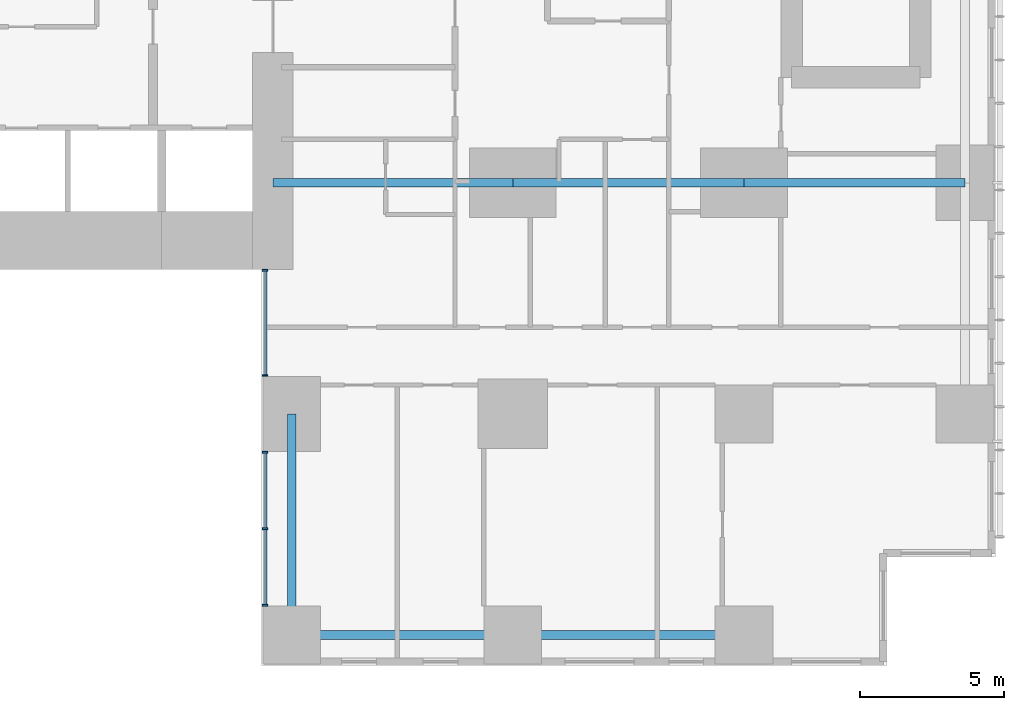
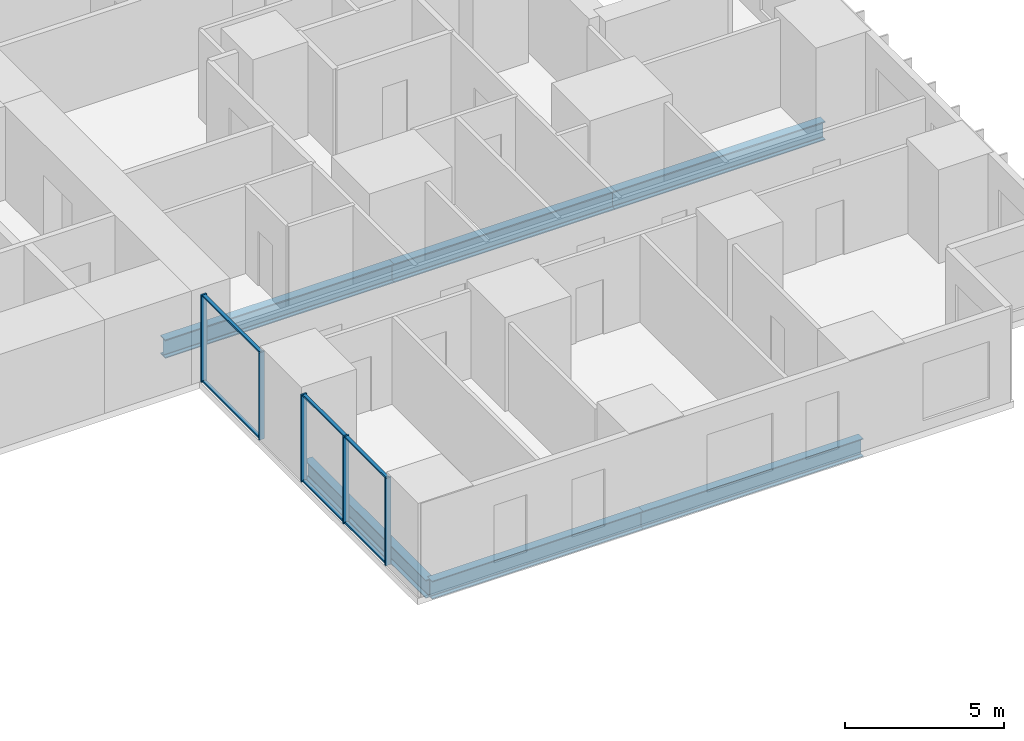
# One storey, part 3 of 20: 11 members, 6 beams, 2 elements without a shape of their own.
"""IFC4 building model written with IfcOpenShell, lengths in metres."""

from ifc_helpers import new_model, si_unit, direction, frame, origin, origin_2d, place, context, subcontext, project, spatial, rectangle, i_section, extrude, material, layer, layer_set, material_profile, profile_set, type_object, element, aggregate, save


model = new_model("IFC4")

# Units and contexts
model_context = context("Model", 3, precision=1e-05, world=origin(), true_north=direction((0.0, 1.0)))
body_context = subcontext(model_context, "Body", "Model", "MODEL_VIEW")
ifc_project = project(units=[si_unit("LENGTHUNIT", "METRE"), si_unit("AREAUNIT", "SQUARE_METRE"), si_unit("VOLUMEUNIT", "CUBIC_METRE"), si_unit("PLANEANGLEUNIT", "RADIAN"), si_unit("MASSUNIT", "GRAM", prefix="KILO")], contexts=[model_context])

# Site, building, storey
site_placement = place(None, origin())
site = spatial("IfcSite", under=ifc_project, at=site_placement, CompositionType="ELEMENT")
building_placement = place(site_placement, origin())
building = spatial("IfcBuilding", under=site, at=building_placement, Name="Cleftline Residences", CompositionType="ELEMENT")
storey_placement = place(building_placement, frame((0.0, 0.0, 164.60009765625)))
storey = spatial("IfcBuildingStorey", under=building, at=storey_placement, Name="L43", CompositionType="ELEMENT", Elevation=164.60009765625)

# Beams
ifc_material_1 = material(Name="Steel S355", Category="steel")
ifc_material_profile_1 = material_profile(ifc_material_1, i_section(OverallWidth=0.300048828125, OverallDepth=0.699951171875, WebThickness=0.01708984375, FlangeThickness=0.031982421875, FilletRadius=0.027099609375, at=origin_2d()))
ifc_profile_set_1 = profile_set([ifc_material_profile_1], Name="Steel S355")
beam_type_1 = type_object("IfcBeamType", Name="BEAM HEB 700", PredefinedType="BEAM", material=ifc_profile_set_1)
beam_1_placement = place(storey_placement, frame((58.0, 0.35009765625, -0.60009765625), z_axis=(-1.0, 0.0, 0.0), x_axis=(0.0, -1.0, 0.0)))
element("IfcBeam", 1, at=beam_1_placement, inside=storey, type_object=beam_type_1, Name="Edge beam", PredefinedType="BEAM", context=body_context, shape_type="SweptSolid", body=[
    extrude(i_section(OverallWidth=0.300048828125, OverallDepth=0.699951171875, WebThickness=0.01708984375, FlangeThickness=0.031982421875, FilletRadius=0.027099609375, at=origin_2d()), origin(), (0.0, 0.0, 1.0), 8.0),
])
for number, where, z_axis, x_axis, name in (
    (2, (50.0, 0.35009765625, -0.60009765625), (-1.0, 0.0, 0.0), (0.0, -1.0, 0.0), "Edge beam"),
    (3, (42.35009765625, 0.35009765625, -0.60009765625), (0.0, 1.0, 0.0), (-1.0, 0.0, 0.0), "Edge beam"),
):
    element("IfcBeam", number, at=place(storey_placement, frame(where, z_axis=z_axis, x_axis=x_axis)), inside=storey, type_object=beam_type_1, Name=name, PredefinedType="BEAM", context=body_context, shape_type="SweptSolid", body=[
        extrude(i_section(OverallWidth=0.300048828125, OverallDepth=0.699951171875, WebThickness=0.01708984375, FlangeThickness=0.031982421875, FilletRadius=0.027099609375, at=origin_2d()), origin(), (0.0, 0.0, 1.0), 7.64990234375),
    ])
ifc_material_2 = material(Name="Steel S355", Category="steel")
ifc_material_profile_2 = material_profile(ifc_material_2, i_section(OverallWidth=0.303955078125, OverallDepth=0.716064453125, WebThickness=0.02099609375, FlangeThickness=0.0400390625, FilletRadius=0.027099609375, at=origin_2d()))
ifc_profile_set_2 = profile_set([ifc_material_profile_2], Name="Steel S355")
beam_type_2 = type_object("IfcBeamType", Name="BEAM HEM 700", PredefinedType="BEAM", material=ifc_profile_set_2)
beam_2_placement = place(storey_placement, frame((65.64990234375, 16.0, -0.608154296875), z_axis=(-1.0, 0.0, 0.0), x_axis=(0.0, -1.0, 0.0)))
element("IfcBeam", 4, at=beam_2_placement, inside=storey, type_object=beam_type_2, Name="Band beam", PredefinedType="BEAM", context=body_context, shape_type="SweptSolid", body=[
    extrude(i_section(OverallWidth=0.303955078125, OverallDepth=0.716064453125, WebThickness=0.02099609375, FlangeThickness=0.0400390625, FilletRadius=0.027099609375, at=origin_2d()), origin(), (0.0, 0.0, 1.0), 7.64990234375),
])
beam_3_placement = place(storey_placement, frame((58.0, 16.0, -0.608154296875), z_axis=(-1.0, 0.0, 0.0), x_axis=(0.0, -1.0, 0.0)))
element("IfcBeam", 5, at=beam_3_placement, inside=storey, type_object=beam_type_2, Name="Band beam", PredefinedType="BEAM", context=body_context, shape_type="SweptSolid", body=[
    extrude(i_section(OverallWidth=0.303955078125, OverallDepth=0.716064453125, WebThickness=0.02099609375, FlangeThickness=0.0400390625, FilletRadius=0.027099609375, at=origin_2d()), origin(), (0.0, 0.0, 1.0), 8.0),
])
beam_4_placement = place(storey_placement, frame((50.0, 16.0, -0.608154296875), z_axis=(-1.0, 0.0, 0.0), x_axis=(0.0, -1.0, 0.0)))
element("IfcBeam", 6, at=beam_4_placement, inside=storey, type_object=beam_type_2, Name="Band beam", PredefinedType="BEAM", context=body_context, shape_type="SweptSolid", body=[
    extrude(i_section(OverallWidth=0.303955078125, OverallDepth=0.716064453125, WebThickness=0.02099609375, FlangeThickness=0.0400390625, FilletRadius=0.027099609375, at=origin_2d()), origin(), (0.0, 0.0, 1.0), 8.300048828125),
])

# Curtain wall, members
ifc_material_3 = material(Name="Aluminium framed curtain wall", Category="aluminium")
ifc_layer = layer(ifc_material_3, 0.199951171875)
ifc_layer_set = layer_set([ifc_layer], Name="CW1 CLEFT GLAZING")
curtain_wall_type = type_object("IfcCurtainWallType", Name="CW1 CLEFT GLAZING", PredefinedType="NOTDEFINED", material=ifc_layer_set)
curtain_wall_1_placement = place(storey_placement, origin())
curtain_wall_1 = element("IfcCurtainWall", 7, at=curtain_wall_1_placement, inside=storey, type_object=curtain_wall_type, Name="Curtain wall CW1", PredefinedType="NOTDEFINED")
ifc_material_4 = material(Name="Aluminium mullion", Category="aluminium")
ifc_material_profile_3 = material_profile(ifc_material_4, rectangle(XDim=0.199951171875, YDim=0.06005859375, at=origin_2d()))
ifc_profile_set_3 = profile_set([ifc_material_profile_3], Name="Aluminium mullion")
member_type_1 = type_object("IfcMemberType", Name="CW1 MULLION", PredefinedType="MULLION", material=ifc_profile_set_3)
member_1_placement = place(storey_placement, frame((41.425048828125, 12.969970703125, 0.0), z_axis=(0.0, 0.0, 1.0), x_axis=(1.0, 0.0, 0.0)))
member_1 = element("IfcMember", 8, at=member_1_placement, type_object=member_type_1, Name="CW1 mullion 1", PredefinedType="MULLION", context=body_context, shape_type="SweptSolid", body=[
    extrude(rectangle(XDim=0.199951171875, YDim=0.06005859375, at=origin_2d()), origin(), (0.0, 0.0, 1.0), 3.349853515625),
])
member_2_placement = place(storey_placement, frame((41.425048828125, 9.330078125, 0.0), z_axis=(0.0, 0.0, 1.0), x_axis=(1.0, 0.0, 0.0)))
member_2 = element("IfcMember", 9, at=member_2_placement, type_object=member_type_1, Name="CW1 mullion 2", PredefinedType="MULLION", context=body_context, shape_type="SweptSolid", body=[
    extrude(rectangle(XDim=0.199951171875, YDim=0.06005859375, at=origin_2d()), origin(), (0.0, 0.0, 1.0), 3.349853515625),
])

curtain_wall_2_placement = place(storey_placement, origin())
curtain_wall_2 = element("IfcCurtainWall", 10, at=curtain_wall_2_placement, inside=storey, type_object=curtain_wall_type, Name="Curtain wall CW1", PredefinedType="NOTDEFINED")
member_3_placement = place(storey_placement, frame((41.425048828125, 6.669921875, 0.0), z_axis=(0.0, 0.0, 1.0), x_axis=(1.0, 0.0, 0.0)))
member_3 = element("IfcMember", 11, at=member_3_placement, type_object=member_type_1, Name="CW1 mullion 1", PredefinedType="MULLION", context=body_context, shape_type="SweptSolid", body=[
    extrude(rectangle(XDim=0.199951171875, YDim=0.06005859375, at=origin_2d()), origin(), (0.0, 0.0, 1.0), 3.349853515625),
])
member_4_placement = place(storey_placement, frame((41.425048828125, 4.02490234375, 0.0), z_axis=(0.0, 0.0, 1.0), x_axis=(1.0, 0.0, 0.0)))
member_4 = element("IfcMember", 12, at=member_4_placement, type_object=member_type_1, Name="CW1 mullion 2", PredefinedType="MULLION", context=body_context, shape_type="SweptSolid", body=[
    extrude(rectangle(XDim=0.199951171875, YDim=0.06005859375, at=origin_2d()), origin(), (0.0, 0.0, 1.0), 3.349853515625),
])
member_5_placement = place(storey_placement, frame((41.425048828125, 1.3798828125, 0.0), z_axis=(0.0, 0.0, 1.0), x_axis=(1.0, 0.0, 0.0)))
member_5 = element("IfcMember", 13, at=member_5_placement, type_object=member_type_1, Name="CW1 mullion 3", PredefinedType="MULLION", context=body_context, shape_type="SweptSolid", body=[
    extrude(rectangle(XDim=0.199951171875, YDim=0.06005859375, at=origin_2d()), origin(), (0.0, 0.0, 1.0), 3.349853515625),
])

# Member
ifc_material_5 = material(Name="Aluminium transom", Category="aluminium")
ifc_material_profile_4 = material_profile(ifc_material_5, rectangle(XDim=0.1201171875, YDim=0.06005859375, at=origin_2d()))
ifc_profile_set_4 = profile_set([ifc_material_profile_4], Name="Aluminium transom")
member_type_2 = type_object("IfcMemberType", Name="CW1 TRANSOM", PredefinedType="USERDEFINED", material=ifc_profile_set_4)
member_6_placement = place(storey_placement, frame((41.425048828125, 12.93994140625, 0.02978515625), z_axis=(0.0, -1.0, 0.0), x_axis=(1.0, 0.0, 0.0)))
member_6 = element("IfcMember", 14, at=member_6_placement, type_object=member_type_2, Name="CW1 transom 1.1", ObjectType="TRANSOM", PredefinedType="USERDEFINED", context=body_context, shape_type="SweptSolid", body=[
    extrude(rectangle(XDim=0.1201171875, YDim=0.06005859375, at=origin_2d()), origin(), (0.0, 0.0, 1.0), 3.579833984375),
])

member_7_placement = place(storey_placement, frame((41.425048828125, 12.93994140625, 3.31982421875), z_axis=(0.0, -1.0, 0.0), x_axis=(1.0, 0.0, 0.0)))
member_7 = element("IfcMember", 15, at=member_7_placement, type_object=member_type_2, Name="CW1 transom 1.2", ObjectType="TRANSOM", PredefinedType="USERDEFINED", context=body_context, shape_type="SweptSolid", body=[
    extrude(rectangle(XDim=0.1201171875, YDim=0.06005859375, at=origin_2d()), origin(), (0.0, 0.0, 1.0), 3.579833984375),
])

aggregate(curtain_wall_1, [member_1, member_2, member_6, member_7])

member_8_placement = place(storey_placement, frame((41.425048828125, 6.639892578125, 0.02978515625), z_axis=(0.0, -1.0, 0.0), x_axis=(1.0, 0.0, 0.0)))
member_8 = element("IfcMember", 16, at=member_8_placement, type_object=member_type_2, Name="CW1 transom 1.1", ObjectType="TRANSOM", PredefinedType="USERDEFINED", context=body_context, shape_type="SweptSolid", body=[
    extrude(rectangle(XDim=0.1201171875, YDim=0.06005859375, at=origin_2d()), origin(), (0.0, 0.0, 1.0), 2.5849609375),
])

member_9_placement = place(storey_placement, frame((41.425048828125, 6.639892578125, 3.31982421875), z_axis=(0.0, -1.0, 0.0), x_axis=(1.0, 0.0, 0.0)))
member_9 = element("IfcMember", 17, at=member_9_placement, type_object=member_type_2, Name="CW1 transom 1.2", ObjectType="TRANSOM", PredefinedType="USERDEFINED", context=body_context, shape_type="SweptSolid", body=[
    extrude(rectangle(XDim=0.1201171875, YDim=0.06005859375, at=origin_2d()), origin(), (0.0, 0.0, 1.0), 2.5849609375),
])

member_10_placement = place(storey_placement, frame((41.425048828125, 3.9951171875, 0.02978515625), z_axis=(0.0, -1.0, 0.0), x_axis=(1.0, 0.0, 0.0)))
member_10 = element("IfcMember", 18, at=member_10_placement, type_object=member_type_2, Name="CW1 transom 2.1", ObjectType="TRANSOM", PredefinedType="USERDEFINED", context=body_context, shape_type="SweptSolid", body=[
    extrude(rectangle(XDim=0.1201171875, YDim=0.06005859375, at=origin_2d()), origin(), (0.0, 0.0, 1.0), 2.585205078125),
])

member_11_placement = place(storey_placement, frame((41.425048828125, 3.9951171875, 3.31982421875), z_axis=(0.0, -1.0, 0.0), x_axis=(1.0, 0.0, 0.0)))
member_11 = element("IfcMember", 19, at=member_11_placement, type_object=member_type_2, Name="CW1 transom 2.2", ObjectType="TRANSOM", PredefinedType="USERDEFINED", context=body_context, shape_type="SweptSolid", body=[
    extrude(rectangle(XDim=0.1201171875, YDim=0.06005859375, at=origin_2d()), origin(), (0.0, 0.0, 1.0), 2.585205078125),
])

aggregate(curtain_wall_2, [member_3, member_4, member_5, member_8, member_9, member_10, member_11])

save(model, "model.ifc")
